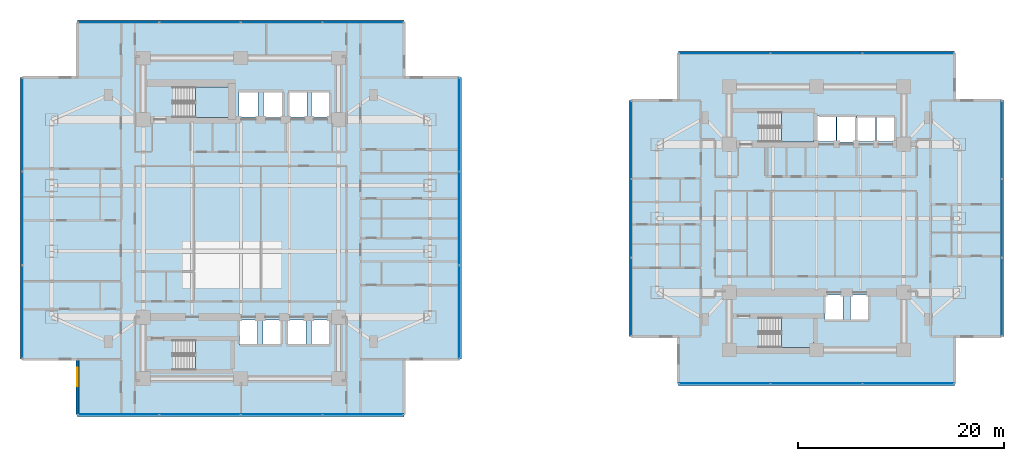
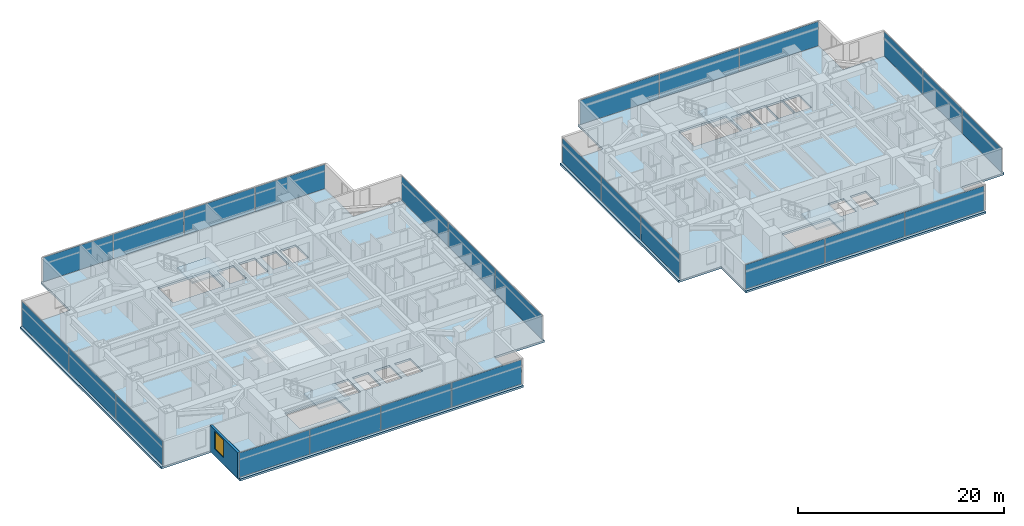
# One storey, part 11 of 26: 26 plates, 6 slabs, 1 wall, 1 window, 1 opening, 12 elements without a shape of their own.
"""IFC4 building model written with IfcOpenShell, lengths in metres."""

from ifc_helpers import new_model, si_unit, direction, frame, frame_2d, origin, origin_2d, place, context, subcontext, project, spatial, polyline, rectangle, outline, extrude, material, layer, layer_set, type_object, element, fill, aggregate, save


model = new_model("IFC4")

# Units and contexts
model_context = context("Model", 3, precision=1e-05, world=origin(), true_north=direction((0.0, 1.0)))
body_context = subcontext(model_context, "Body", "Model", "MODEL_VIEW")
ifc_project = project(units=[si_unit("LENGTHUNIT", "METRE"), si_unit("AREAUNIT", "SQUARE_METRE"), si_unit("VOLUMEUNIT", "CUBIC_METRE"), si_unit("PLANEANGLEUNIT", "RADIAN"), si_unit("MASSUNIT", "GRAM", prefix="KILO")], contexts=[model_context])

# Site, building, storey
site_placement = place(None, origin())
site = spatial("IfcSite", under=ifc_project, at=site_placement, CompositionType="ELEMENT")
building_placement = place(site_placement, origin())
building = spatial("IfcBuilding", under=site, at=building_placement, Name="Mirazonda Arch Towers", CompositionType="ELEMENT")
storey_placement = place(building_placement, frame((0.0, 0.0, 25.699951171875)))
storey = spatial("IfcBuildingStorey", under=building, at=storey_placement, Name="L06", CompositionType="ELEMENT", Elevation=25.699951171875)

# Curtain wall, plates
ifc_material_1 = material(Name="Anodised Aluminium and Low-E Glass", Category="aluminium")
curtain_wall_type = type_object("IfcCurtainWallType", Name="CW-HTL-UNIT", PredefinedType="NOTDEFINED", material=ifc_material_1)
curtain_wall_1_placement = place(storey_placement, origin())
curtain_wall_1 = element("IfcCurtainWall", 1, at=curtain_wall_1_placement, inside=storey, type_object=curtain_wall_type, Name="L06 T1 S Facade CW-L06-T1-S", PredefinedType="NOTDEFINED")
ifc_material_2 = material(Name="Insulated Low-E Solar Glass", Category="glass")
ifc_layer_1 = layer(ifc_material_2, 0.035888671875, Name="PAN-CW-HTL-UNIT")
ifc_layer_set_1 = layer_set([ifc_layer_1], Name="Insulated Low-E Solar Glass")
plate_type = type_object("IfcPlateType", Name="PAN-CW-HTL-UNIT", PredefinedType="CURTAIN_PANEL", material=ifc_layer_set_1)
plate_1_placement = place(storey_placement, frame((32.391357421875, 8.922119140625, 0.0751953125), z_axis=(0.0, 0.0, 1.0), x_axis=(-1.0, 0.0, 0.0)))
plate_1 = element("IfcPlate", 2, at=plate_1_placement, type_object=plate_type, Name="CW-112 panel 1.1", PredefinedType="CURTAIN_PANEL", context=body_context, shape_type="SweptSolid", body=[
    extrude(rectangle(XDim=7.827392578125, YDim=0.035888671875, at=origin_2d()), origin(), (0.0, 0.0, 1.0), 2.889892578125),
])
plate_2_placement = place(storey_placement, frame((24.469970703125, 8.922119140625, 0.0751953125), z_axis=(0.0, 0.0, 1.0), x_axis=(-1.0, 0.0, 0.0)))
plate_2 = element("IfcPlate", 3, at=plate_2_placement, type_object=plate_type, Name="CW-112 panel 2.1", PredefinedType="CURTAIN_PANEL", context=body_context, shape_type="SweptSolid", body=[
    extrude(rectangle(XDim=7.864990234375, YDim=0.035888671875, at=origin_2d()), origin(), (0.0, 0.0, 1.0), 2.889892578125),
])
plate_3_placement = place(storey_placement, frame((16.530029296875, 8.922119140625, 0.0751953125), z_axis=(0.0, 0.0, 1.0), x_axis=(-1.0, 0.0, 0.0)))
plate_3 = element("IfcPlate", 4, at=plate_3_placement, type_object=plate_type, Name="CW-112 panel 3.1", PredefinedType="CURTAIN_PANEL", context=body_context, shape_type="SweptSolid", body=[
    extrude(rectangle(XDim=7.864990234375, YDim=0.035888671875, at=origin_2d()), origin(), (0.0, 0.0, 1.0), 2.889892578125),
])
plate_4_placement = place(storey_placement, frame((8.608642578125, 8.922119140625, 0.0751953125), z_axis=(0.0, 0.0, 1.0), x_axis=(-1.0, 0.0, 0.0)))
plate_4 = element("IfcPlate", 5, at=plate_4_placement, type_object=plate_type, Name="CW-112 panel 4.1", PredefinedType="CURTAIN_PANEL", context=body_context, shape_type="SweptSolid", body=[
    extrude(rectangle(XDim=7.827392578125, YDim=0.035888671875, at=origin_2d()), origin(), (0.0, 0.0, 1.0), 2.889892578125),
])
aggregate(curtain_wall_1, [plate_1, plate_2, plate_3, plate_4])

curtain_wall_2_placement = place(storey_placement, origin())
curtain_wall_2 = element("IfcCurtainWall", 6, at=curtain_wall_2_placement, inside=storey, type_object=curtain_wall_type, Name="L06 T1 E Facade CW-L06-T1-E", PredefinedType="NOTDEFINED")
plate_5_placement = place(storey_placement, frame((41.760009765625, 18.88671875, 0.0751953125), z_axis=(0.0, 0.0, 1.0), x_axis=(0.0, 1.0, 0.0)))
plate_5 = element("IfcPlate", 7, at=plate_5_placement, type_object=plate_type, Name="CW-112 panel 1.1", PredefinedType="CURTAIN_PANEL", context=body_context, shape_type="SweptSolid", body=[
    extrude(rectangle(XDim=9.01953125, YDim=0.035888671875, at=origin_2d()), origin(), (0.0, 0.0, 1.0), 2.889892578125),
])
plate_6_placement = place(storey_placement, frame((41.760009765625, 28.0, 0.0751953125), z_axis=(0.0, 0.0, 1.0), x_axis=(0.0, 1.0, 0.0)))
plate_6 = element("IfcPlate", 8, at=plate_6_placement, type_object=plate_type, Name="CW-112 panel 2.1", PredefinedType="CURTAIN_PANEL", context=body_context, shape_type="SweptSolid", body=[
    extrude(rectangle(XDim=9.056884765625, YDim=0.035888671875, at=origin_2d()), origin(), (0.0, 0.0, 1.0), 2.889892578125),
])
plate_7_placement = place(storey_placement, frame((41.760009765625, 37.11328125, 0.0751953125), z_axis=(0.0, 0.0, 1.0), x_axis=(0.0, 1.0, 0.0)))
plate_7 = element("IfcPlate", 9, at=plate_7_placement, type_object=plate_type, Name="CW-112 panel 3.1", PredefinedType="CURTAIN_PANEL", context=body_context, shape_type="SweptSolid", body=[
    extrude(rectangle(XDim=9.01953125, YDim=0.035888671875, at=origin_2d()), origin(), (0.0, 0.0, 1.0), 2.889892578125),
])
aggregate(curtain_wall_2, [plate_5, plate_6, plate_7])

curtain_wall_3_placement = place(storey_placement, origin())
curtain_wall_3 = element("IfcCurtainWall", 10, at=curtain_wall_3_placement, inside=storey, type_object=curtain_wall_type, Name="L06 T1 N Facade CW-L06-T1-N", PredefinedType="NOTDEFINED")
plate_8_placement = place(storey_placement, frame((8.608642578125, 47.077880859375, 0.0751953125), z_axis=(0.0, 0.0, 1.0), x_axis=(1.0, 0.0, 0.0)))
plate_8 = element("IfcPlate", 11, at=plate_8_placement, type_object=plate_type, Name="CW-112 panel 1.1", PredefinedType="CURTAIN_PANEL", context=body_context, shape_type="SweptSolid", body=[
    extrude(rectangle(XDim=7.827392578125, YDim=0.035888671875, at=origin_2d()), origin(), (0.0, 0.0, 1.0), 2.889892578125),
])
plate_9_placement = place(storey_placement, frame((16.530029296875, 47.077880859375, 0.0751953125), z_axis=(0.0, 0.0, 1.0), x_axis=(1.0, 0.0, 0.0)))
plate_9 = element("IfcPlate", 12, at=plate_9_placement, type_object=plate_type, Name="CW-112 panel 2.1", PredefinedType="CURTAIN_PANEL", context=body_context, shape_type="SweptSolid", body=[
    extrude(rectangle(XDim=7.864990234375, YDim=0.035888671875, at=origin_2d()), origin(), (0.0, 0.0, 1.0), 2.889892578125),
])
plate_10_placement = place(storey_placement, frame((24.469970703125, 47.077880859375, 0.0751953125), z_axis=(0.0, 0.0, 1.0), x_axis=(1.0, 0.0, 0.0)))
plate_10 = element("IfcPlate", 13, at=plate_10_placement, type_object=plate_type, Name="CW-112 panel 3.1", PredefinedType="CURTAIN_PANEL", context=body_context, shape_type="SweptSolid", body=[
    extrude(rectangle(XDim=7.864990234375, YDim=0.035888671875, at=origin_2d()), origin(), (0.0, 0.0, 1.0), 2.889892578125),
])
plate_11_placement = place(storey_placement, frame((32.391357421875, 47.077880859375, 0.0751953125), z_axis=(0.0, 0.0, 1.0), x_axis=(1.0, 0.0, 0.0)))
plate_11 = element("IfcPlate", 14, at=plate_11_placement, type_object=plate_type, Name="CW-112 panel 4.1", PredefinedType="CURTAIN_PANEL", context=body_context, shape_type="SweptSolid", body=[
    extrude(rectangle(XDim=7.827392578125, YDim=0.035888671875, at=origin_2d()), origin(), (0.0, 0.0, 1.0), 2.889892578125),
])
aggregate(curtain_wall_3, [plate_8, plate_9, plate_10, plate_11])

curtain_wall_4_placement = place(storey_placement, origin())
curtain_wall_4 = element("IfcCurtainWall", 15, at=curtain_wall_4_placement, inside=storey, type_object=curtain_wall_type, Name="L06 T1 W Facade CW-L06-T1-W", PredefinedType="NOTDEFINED")
plate_12_placement = place(storey_placement, frame((-0.760009765625, 37.11328125, 0.0751953125), z_axis=(0.0, 0.0, 1.0), x_axis=(0.0, -1.0, 0.0)))
plate_12 = element("IfcPlate", 16, at=plate_12_placement, type_object=plate_type, Name="CW-112 panel 1.1", PredefinedType="CURTAIN_PANEL", context=body_context, shape_type="SweptSolid", body=[
    extrude(rectangle(XDim=9.01953125, YDim=0.035888671875, at=origin_2d()), origin(), (0.0, 0.0, 1.0), 2.889892578125),
])
plate_13_placement = place(storey_placement, frame((-0.760009765625, 28.0, 0.0751953125), z_axis=(0.0, 0.0, 1.0), x_axis=(0.0, -1.0, 0.0)))
plate_13 = element("IfcPlate", 17, at=plate_13_placement, type_object=plate_type, Name="CW-112 panel 2.1", PredefinedType="CURTAIN_PANEL", context=body_context, shape_type="SweptSolid", body=[
    extrude(rectangle(XDim=9.056884765625, YDim=0.035888671875, at=origin_2d()), origin(), (0.0, 0.0, 1.0), 2.889892578125),
])
plate_14_placement = place(storey_placement, frame((-0.760009765625, 18.88671875, 0.0751953125), z_axis=(0.0, 0.0, 1.0), x_axis=(0.0, -1.0, 0.0)))
plate_14 = element("IfcPlate", 18, at=plate_14_placement, type_object=plate_type, Name="CW-112 panel 3.1", PredefinedType="CURTAIN_PANEL", context=body_context, shape_type="SweptSolid", body=[
    extrude(rectangle(XDim=9.01953125, YDim=0.035888671875, at=origin_2d()), origin(), (0.0, 0.0, 1.0), 2.889892578125),
])
aggregate(curtain_wall_4, [plate_12, plate_13, plate_14])

curtain_wall_5_placement = place(storey_placement, origin())
curtain_wall_5 = element("IfcCurtainWall", 19, at=curtain_wall_5_placement, inside=storey, type_object=curtain_wall_type, Name="L06 T2 S Facade CW-L06-T2-S", PredefinedType="NOTDEFINED")
plate_15_placement = place(storey_placement, frame((85.43994140625, 11.936767578125, 0.0751953125), z_axis=(0.0, 0.0, 1.0), x_axis=(-1.0, 0.0, 0.0)))
plate_15 = element("IfcPlate", 20, at=plate_15_placement, type_object=plate_type, Name="CW-112 panel 1.1", PredefinedType="CURTAIN_PANEL", context=body_context, shape_type="SweptSolid", body=[
    extrude(rectangle(XDim=8.84619140625, YDim=0.035888671875, at=origin_2d()), origin(), (0.0, 0.0, 1.0), 2.889892578125),
])
plate_16_placement = place(storey_placement, frame((76.5, 11.936767578125, 0.0751953125), z_axis=(0.0, 0.0, 1.0), x_axis=(-1.0, 0.0, 0.0)))
plate_16 = element("IfcPlate", 21, at=plate_16_placement, type_object=plate_type, Name="CW-112 panel 2.1", PredefinedType="CURTAIN_PANEL", context=body_context, shape_type="SweptSolid", body=[
    extrude(rectangle(XDim=8.883544921875, YDim=0.035888671875, at=origin_2d()), origin(), (0.0, 0.0, 1.0), 2.889892578125),
])
plate_17_placement = place(storey_placement, frame((67.56005859375, 11.936767578125, 0.0751953125), z_axis=(0.0, 0.0, 1.0), x_axis=(-1.0, 0.0, 0.0)))
plate_17 = element("IfcPlate", 22, at=plate_17_placement, type_object=plate_type, Name="CW-112 panel 3.1", PredefinedType="CURTAIN_PANEL", context=body_context, shape_type="SweptSolid", body=[
    extrude(rectangle(XDim=8.84619140625, YDim=0.035888671875, at=origin_2d()), origin(), (0.0, 0.0, 1.0), 2.889892578125),
])
aggregate(curtain_wall_5, [plate_15, plate_16, plate_17])

curtain_wall_6_placement = place(storey_placement, origin())
curtain_wall_6 = element("IfcCurtainWall", 23, at=curtain_wall_6_placement, inside=storey, type_object=curtain_wall_type, Name="L06 T2 E Facade CW-L06-T2-E", PredefinedType="NOTDEFINED")
plate_18_placement = place(storey_placement, frame((94.51806640625, 20.36328125, 0.0751953125), z_axis=(0.0, 0.0, 1.0), x_axis=(0.0, 1.0, 0.0)))
plate_18 = element("IfcPlate", 24, at=plate_18_placement, type_object=plate_type, Name="CW-112 panel 1.1", PredefinedType="CURTAIN_PANEL", context=body_context, shape_type="SweptSolid", body=[
    extrude(rectangle(XDim=7.54296875, YDim=0.035888671875, at=origin_2d()), origin(), (0.0, 0.0, 1.0), 2.889892578125),
])
plate_19_placement = place(storey_placement, frame((94.51806640625, 28.0, 0.0751953125), z_axis=(0.0, 0.0, 1.0), x_axis=(0.0, 1.0, 0.0)))
plate_19 = element("IfcPlate", 25, at=plate_19_placement, type_object=plate_type, Name="CW-112 panel 2.1", PredefinedType="CURTAIN_PANEL", context=body_context, shape_type="SweptSolid", body=[
    extrude(rectangle(XDim=7.58056640625, YDim=0.035888671875, at=origin_2d()), origin(), (0.0, 0.0, 1.0), 2.889892578125),
])
plate_20_placement = place(storey_placement, frame((94.51806640625, 35.63671875, 0.0751953125), z_axis=(0.0, 0.0, 1.0), x_axis=(0.0, 1.0, 0.0)))
plate_20 = element("IfcPlate", 26, at=plate_20_placement, type_object=plate_type, Name="CW-112 panel 3.1", PredefinedType="CURTAIN_PANEL", context=body_context, shape_type="SweptSolid", body=[
    extrude(rectangle(XDim=7.54296875, YDim=0.035888671875, at=origin_2d()), origin(), (0.0, 0.0, 1.0), 2.889892578125),
])
aggregate(curtain_wall_6, [plate_18, plate_19, plate_20])

curtain_wall_7_placement = place(storey_placement, origin())
curtain_wall_7 = element("IfcCurtainWall", 27, at=curtain_wall_7_placement, inside=storey, type_object=curtain_wall_type, Name="L06 T2 N Facade CW-L06-T2-N", PredefinedType="NOTDEFINED")
plate_21_placement = place(storey_placement, frame((67.56005859375, 44.063232421875, 0.0751953125), z_axis=(0.0, 0.0, 1.0), x_axis=(1.0, 0.0, 0.0)))
plate_21 = element("IfcPlate", 28, at=plate_21_placement, type_object=plate_type, Name="CW-112 panel 1.1", PredefinedType="CURTAIN_PANEL", context=body_context, shape_type="SweptSolid", body=[
    extrude(rectangle(XDim=8.84619140625, YDim=0.035888671875, at=origin_2d()), origin(), (0.0, 0.0, 1.0), 2.889892578125),
])
plate_22_placement = place(storey_placement, frame((76.5, 44.063232421875, 0.0751953125), z_axis=(0.0, 0.0, 1.0), x_axis=(1.0, 0.0, 0.0)))
plate_22 = element("IfcPlate", 29, at=plate_22_placement, type_object=plate_type, Name="CW-112 panel 2.1", PredefinedType="CURTAIN_PANEL", context=body_context, shape_type="SweptSolid", body=[
    extrude(rectangle(XDim=8.883544921875, YDim=0.035888671875, at=origin_2d()), origin(), (0.0, 0.0, 1.0), 2.889892578125),
])
plate_23_placement = place(storey_placement, frame((85.43994140625, 44.063232421875, 0.0751953125), z_axis=(0.0, 0.0, 1.0), x_axis=(1.0, 0.0, 0.0)))
plate_23 = element("IfcPlate", 30, at=plate_23_placement, type_object=plate_type, Name="CW-112 panel 3.1", PredefinedType="CURTAIN_PANEL", context=body_context, shape_type="SweptSolid", body=[
    extrude(rectangle(XDim=8.84619140625, YDim=0.035888671875, at=origin_2d()), origin(), (0.0, 0.0, 1.0), 2.889892578125),
])
aggregate(curtain_wall_7, [plate_21, plate_22, plate_23])

curtain_wall_8_placement = place(storey_placement, origin())
curtain_wall_8 = element("IfcCurtainWall", 31, at=curtain_wall_8_placement, inside=storey, type_object=curtain_wall_type, Name="L06 T2 W Facade CW-L06-T2-W", PredefinedType="NOTDEFINED")
plate_24_placement = place(storey_placement, frame((58.48193359375, 35.63671875, 0.0751953125), z_axis=(0.0, 0.0, 1.0), x_axis=(0.0, -1.0, 0.0)))
plate_24 = element("IfcPlate", 32, at=plate_24_placement, type_object=plate_type, Name="CW-112 panel 1.1", PredefinedType="CURTAIN_PANEL", context=body_context, shape_type="SweptSolid", body=[
    extrude(rectangle(XDim=7.54296875, YDim=0.035888671875, at=origin_2d()), origin(), (0.0, 0.0, 1.0), 2.889892578125),
])
plate_25_placement = place(storey_placement, frame((58.48193359375, 28.0, 0.0751953125), z_axis=(0.0, 0.0, 1.0), x_axis=(0.0, -1.0, 0.0)))
plate_25 = element("IfcPlate", 33, at=plate_25_placement, type_object=plate_type, Name="CW-112 panel 2.1", PredefinedType="CURTAIN_PANEL", context=body_context, shape_type="SweptSolid", body=[
    extrude(rectangle(XDim=7.58056640625, YDim=0.035888671875, at=origin_2d()), origin(), (0.0, 0.0, 1.0), 2.889892578125),
])
plate_26_placement = place(storey_placement, frame((58.48193359375, 20.36328125, 0.0751953125), z_axis=(0.0, 0.0, 1.0), x_axis=(0.0, -1.0, 0.0)))
plate_26 = element("IfcPlate", 34, at=plate_26_placement, type_object=plate_type, Name="CW-112 panel 3.1", PredefinedType="CURTAIN_PANEL", context=body_context, shape_type="SweptSolid", body=[
    extrude(rectangle(XDim=7.54296875, YDim=0.035888671875, at=origin_2d()), origin(), (0.0, 0.0, 1.0), 2.889892578125),
])
aggregate(curtain_wall_8, [plate_24, plate_25, plate_26])

# Stair, slab
ifc_material_3 = material(Name="Concrete C40/50", Category="concrete")
stair_type = type_object("IfcStairType", Name="STAIR-CORE-1400", PredefinedType="HALF_TURN_STAIR", material=ifc_material_3)
stair_1_placement = place(storey_placement, origin())
stair_1 = element("IfcStair", 35, at=stair_1_placement, inside=storey, type_object=stair_type, Name="L06 Protected Exit Stair ST-T1N", PredefinedType="HALF_TURN_STAIR")
ifc_layer_2 = layer(ifc_material_3, 0.18994140625, Name="SLAB-LANDING-190")
ifc_layer_set_2 = layer_set([ifc_layer_2], Name="Concrete C40/50")
slab_type_1 = type_object("IfcSlabType", Name="SLAB-LANDING-190", PredefinedType="LANDING", material=ifc_layer_set_2)
slab_1_placement = place(storey_placement, frame((0.0, 0.0, 1.449951171875)))
slab_1 = element("IfcSlab", 36, at=slab_1_placement, type_object=slab_type_1, Name="ST-T1N landing 1", PredefinedType="LANDING", context=body_context, shape_type="SweptSolid", body=[
    extrude(outline(polyline([(16.090087890625, 37.820068359375), (19.60009765625, 37.820068359375), (19.60009765625, 40.760009765625), (16.090087890625, 40.760009765625), (16.090087890625, 37.820068359375)])), origin(), (0.0, 0.0, 1.0), 0.2001953125),
])
aggregate(stair_1, [slab_1])

stair_2_placement = place(storey_placement, origin())
stair_2 = element("IfcStair", 37, at=stair_2_placement, inside=storey, type_object=stair_type, Name="L06 Protected Exit Stair ST-T1S", PredefinedType="HALF_TURN_STAIR")
slab_2_placement = place(storey_placement, frame((0.0, 0.0, 1.449951171875)))
slab_2 = element("IfcSlab", 38, at=slab_2_placement, type_object=slab_type_1, Name="ST-T1S landing 1", PredefinedType="LANDING", context=body_context, shape_type="SweptSolid", body=[
    extrude(outline(polyline([(16.090087890625, 13.25), (19.60009765625, 13.25), (19.60009765625, 16.18994140625), (16.090087890625, 16.18994140625), (16.090087890625, 13.25)])), origin(), (0.0, 0.0, 1.0), 0.2001953125),
])
aggregate(stair_2, [slab_2])

stair_3_placement = place(storey_placement, origin())
stair_3 = element("IfcStair", 39, at=stair_3_placement, inside=storey, type_object=stair_type, Name="L06 Protected Exit Stair ST-T2N", PredefinedType="HALF_TURN_STAIR")
slab_3_placement = place(storey_placement, frame((0.0, 0.0, 1.449951171875)))
slab_3 = element("IfcSlab", 40, at=slab_3_placement, type_object=slab_type_1, Name="ST-T2N landing 1", PredefinedType="LANDING", context=body_context, shape_type="SweptSolid", body=[
    extrude(outline(polyline([(73.090087890625, 35.419921875), (76.22998046875, 35.419921875), (76.22998046875, 38.360107421875), (73.090087890625, 38.360107421875), (73.090087890625, 35.419921875)])), origin(), (0.0, 0.0, 1.0), 0.2001953125),
])
aggregate(stair_3, [slab_3])

stair_4_placement = place(storey_placement, origin())
stair_4 = element("IfcStair", 41, at=stair_4_placement, inside=storey, type_object=stair_type, Name="L06 Protected Exit Stair ST-T2S", PredefinedType="HALF_TURN_STAIR")
slab_4_placement = place(storey_placement, frame((0.0, 0.0, 1.449951171875)))
slab_4 = element("IfcSlab", 42, at=slab_4_placement, type_object=slab_type_1, Name="ST-T2S landing 1", PredefinedType="LANDING", context=body_context, shape_type="SweptSolid", body=[
    extrude(outline(polyline([(73.090087890625, 15.419921875), (76.22998046875, 15.419921875), (76.22998046875, 18.360107421875), (73.090087890625, 18.360107421875), (73.090087890625, 15.419921875)])), origin(), (0.0, 0.0, 1.0), 0.2001953125),
])
aggregate(stair_4, [slab_4])

# Slabs
ifc_layer_3 = layer(ifc_material_3, 0.239990234375, Name="SLAB-TWR-240")
ifc_layer_set_3 = layer_set([ifc_layer_3], Name="Concrete C40/50")
slab_type_2 = type_object("IfcSlabType", Name="SLAB-TWR-240", PredefinedType="FLOOR", material=ifc_layer_set_3)
slab_5_placement = place(storey_placement, frame((0.0, 0.0, -0.239990234375)))
element("IfcSlab", 43, at=slab_5_placement, inside=storey, type_object=slab_type_2, Name="L06 Tower 1 Floor Slab", PredefinedType="FLOOR", context=body_context, shape_type="SweptSolid", body=[
    extrude(outline(polyline([(4.6201171875, 8.701904296875), (36.3798828125, 8.701904296875), (36.3798828125, 14.302001953125), (41.97998046875, 14.302001953125), (41.97998046875, 41.697998046875), (36.3798828125, 41.697998046875), (36.3798828125, 47.298095703125), (4.6201171875, 47.298095703125), (4.6201171875, 41.697998046875), (-0.97998046875, 41.697998046875), (-0.97998046875, 14.302001953125), (4.6201171875, 14.302001953125), (4.6201171875, 8.701904296875)]), holes=[polyline([(29.139892578125, 18.139892578125), (29.139892578125, 15.659912109375), (27.360107421875, 15.659912109375), (27.360107421875, 18.139892578125), (29.139892578125, 18.139892578125)]), polyline([(29.139892578125, 40.340087890625), (29.139892578125, 37.860107421875), (27.360107421875, 37.860107421875), (27.360107421875, 40.340087890625), (29.139892578125, 40.340087890625)]), polyline([(25.159912109375, 40.340087890625), (26.93994140625, 40.340087890625), (26.93994140625, 37.860107421875), (25.159912109375, 37.860107421875), (25.159912109375, 40.340087890625)]), polyline([(26.840087890625, 18.139892578125), (26.840087890625, 15.659912109375), (25.06005859375, 15.659912109375), (25.06005859375, 18.139892578125), (26.840087890625, 18.139892578125)]), polyline([(22.7099609375, 40.389892578125), (24.590087890625, 40.389892578125), (24.590087890625, 37.81005859375), (22.7099609375, 37.81005859375), (22.7099609375, 40.389892578125)]), polyline([(22.659912109375, 18.139892578125), (24.43994140625, 18.139892578125), (24.43994140625, 15.659912109375), (22.659912109375, 15.659912109375), (22.659912109375, 18.139892578125)]), polyline([(20.31005859375, 40.340087890625), (22.18994140625, 40.340087890625), (22.18994140625, 37.860107421875), (20.31005859375, 37.860107421875), (20.31005859375, 40.340087890625)]), polyline([(20.360107421875, 18.139892578125), (22.139892578125, 18.139892578125), (22.139892578125, 15.659912109375), (20.360107421875, 15.659912109375), (20.360107421875, 18.139892578125)]), polyline([(13.925048828125, 40.760009765625), (19.60009765625, 40.760009765625), (19.60009765625, 37.820068359375), (13.925048828125, 37.820068359375), (13.925048828125, 40.760009765625)]), polyline([(13.925048828125, 13.25), (13.925048828125, 16.18994140625), (19.60009765625, 16.18994140625), (19.60009765625, 13.25), (13.925048828125, 13.25)])]), origin(), (0.0, 0.0, 1.0), 0.239990234375),
])
slab_6_placement = place(storey_placement, frame((0.0, 0.0, -0.239990234375)))
element("IfcSlab", 44, at=slab_6_placement, inside=storey, type_object=slab_type_2, Name="L06 Tower 2 Floor Slab", PredefinedType="FLOOR", context=body_context, shape_type="SweptSolid", body=[
    extrude(outline(polyline([(63.06201171875, 11.716796875), (89.93798828125, 11.716796875), (89.93798828125, 16.5166015625), (94.738037109375, 16.5166015625), (94.738037109375, 39.4833984375), (89.93798828125, 39.4833984375), (89.93798828125, 44.283203125), (63.06201171875, 44.283203125), (63.06201171875, 39.4833984375), (58.261962890625, 39.4833984375), (58.261962890625, 16.5166015625), (63.06201171875, 16.5166015625), (63.06201171875, 11.716796875)]), holes=[polyline([(82.330078125, 37.93994140625), (84.110107421875, 37.93994140625), (84.110107421875, 35.4599609375), (82.330078125, 35.4599609375), (82.330078125, 37.93994140625)]), polyline([(80.449951171875, 37.93994140625), (82.22998046875, 37.93994140625), (82.22998046875, 35.4599609375), (80.449951171875, 35.4599609375), (80.449951171875, 37.93994140625)]), polyline([(79.81005859375, 20.5400390625), (81.590087890625, 20.5400390625), (81.590087890625, 18.06005859375), (79.81005859375, 18.06005859375), (79.81005859375, 20.5400390625)]), polyline([(78.47998046875, 37.989990234375), (80.360107421875, 37.989990234375), (80.360107421875, 35.409912109375), (78.47998046875, 35.409912109375), (78.47998046875, 37.989990234375)]), polyline([(77.31005859375, 20.5400390625), (79.090087890625, 20.5400390625), (79.090087890625, 18.06005859375), (77.31005859375, 18.06005859375), (77.31005859375, 20.5400390625)]), polyline([(76.510009765625, 37.93994140625), (78.389892578125, 37.93994140625), (78.389892578125, 35.4599609375), (76.510009765625, 35.4599609375), (76.510009765625, 37.93994140625)]), polyline([(70.925048828125, 15.419921875), (70.925048828125, 18.360107421875), (76.22998046875, 18.360107421875), (76.22998046875, 15.419921875), (70.925048828125, 15.419921875)]), polyline([(70.925048828125, 35.419921875), (70.925048828125, 38.360107421875), (76.22998046875, 38.360107421875), (76.22998046875, 35.419921875), (70.925048828125, 35.419921875)])]), origin(), (0.0, 0.0, 1.0), 0.239990234375),
])

# Wall, opening, window
ifc_material_4 = material(Name="Precast Concrete C40/50", Category="concrete")
ifc_layer_4 = layer(ifc_material_4, 0.280029296875, Name="WALL-EXT-WALL-280")
ifc_layer_set_4 = layer_set([ifc_layer_4], Name="Precast Concrete C40/50")
wall_type = type_object("IfcWallType", Name="WALL-EXT-WALL-280", PredefinedType="SOLIDWALL", material=ifc_layer_set_4)
wall_placement = place(storey_placement, frame((4.6201171875, 14.302001953125, 0.0), z_axis=(0.0, 0.0, 1.0), x_axis=(0.0, -1.0, 0.0)))
wall = element("IfcWall", 45, at=wall_placement, inside=storey, type_object=wall_type, Name="L06 T1 Notched SW Corner Wall WL-L06-T1-CSW", PredefinedType="SOLIDWALL", context=body_context, shape_type="SweptSolid", body=[
    extrude(rectangle(XDim=5.3798828125, YDim=0.280029296875, at=frame_2d((2.68994140625, 0.0))), origin(), (0.0, 0.0, 1.0), 3.0400390625),
])
opening_placement = place(wall_placement, frame((0.85009765625, 0.0, 0.7900390625)))
opening = element("IfcOpeningElement", 46, at=opening_placement, cuts=wall, Name="Opening WN-116", PredefinedType="OPENING", context=body_context, shape_type="SweptSolid", body=[
    extrude(rectangle(XDim=1.800048828125, YDim=2.10009765625, at=frame_2d((0.89990234375, 1.050048828125))), frame((0.0, 0.14990234375, 0.0), z_axis=(0.0, -1.0, 0.0), x_axis=(1.0, 0.0, 0.0)), (0.0, 0.0, 1.0), 0.300048828125),
])
window_type = type_object("IfcWindowType", Name="WIN-HTL-1800x2100", PartitioningType="SINGLE_PANEL", PredefinedType="WINDOW", material=ifc_material_2)
window_placement = place(opening_placement, origin())
window = element("IfcWindow", 47, at=window_placement, inside=storey, type_object=window_type, Name="L06 Punched Facade Window WN-L06-T1-CSW", OverallHeight=2.10009765625, OverallWidth=1.800048828125, PartitioningType="SINGLE_PANEL", PredefinedType="WINDOW", context=body_context, shape_type="SweptSolid", body=[
    extrude(rectangle(XDim=1.800048828125, YDim=2.10009765625, at=frame_2d((0.89990234375, 1.050048828125))), frame((0.0, 0.030029296875, 0.0), z_axis=(0.0, -1.0, 0.0), x_axis=(1.0, 0.0, 0.0)), (0.0, 0.0, 1.0), 0.06005859375),
])
fill(opening, window)

save(model, "model.ifc")
